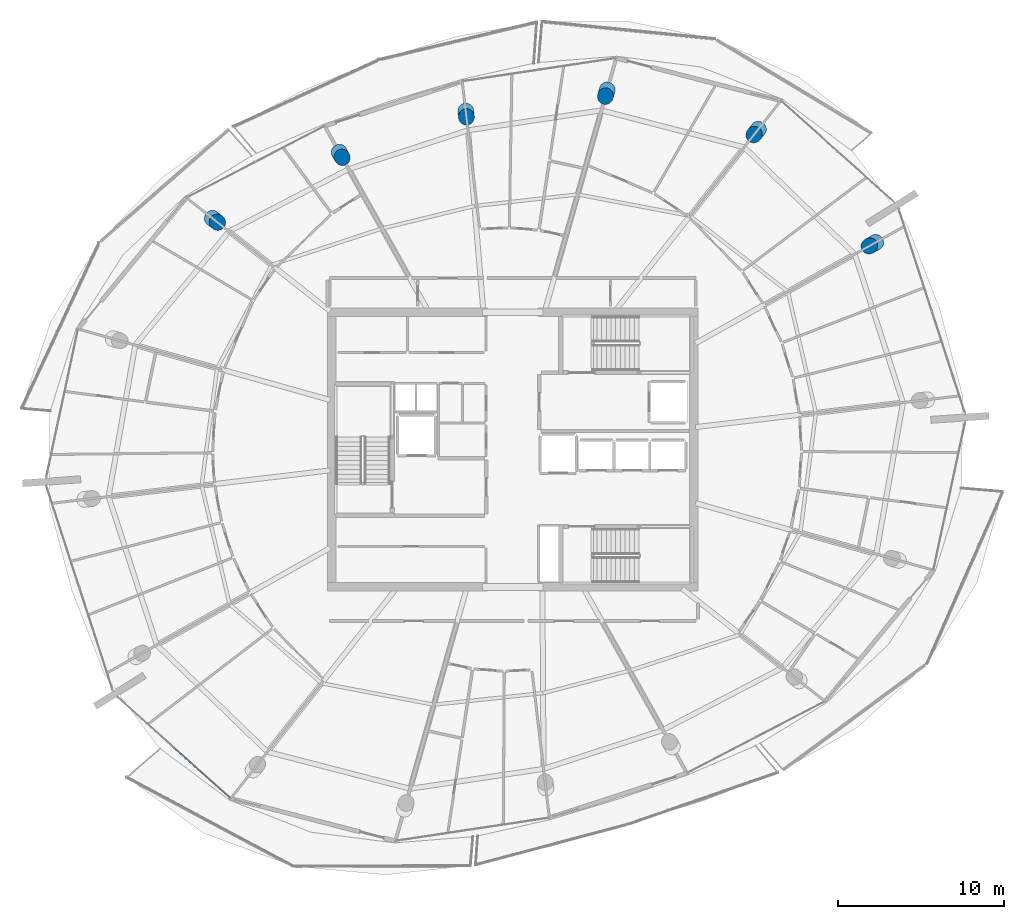
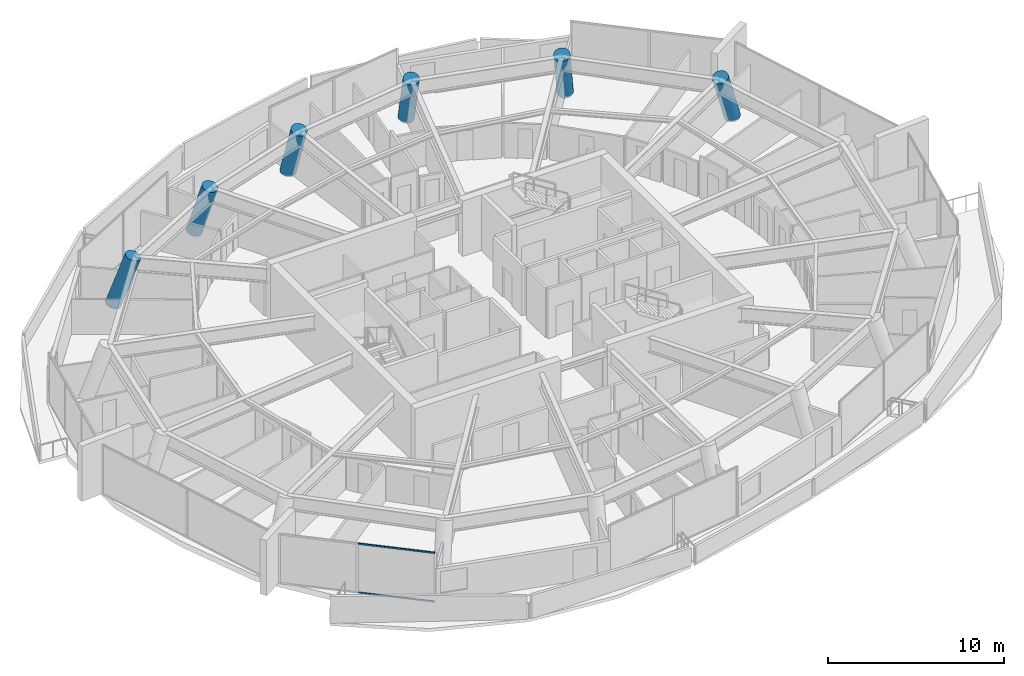
# One storey, part 4 of 24: 6 columns, 2 members, 1 element without a shape of its own.
"""IFC4 building model written with IfcOpenShell, lengths in metres."""

import ifcopenshell
import ifcopenshell.guid

model = None  # the IFC model being written
_history = None  # IfcOwnerHistory: only IFC2X3 demands one
_inside = {}  # id of a spatial element -> (the spatial element, [elements in it])
_under = {}  # id of a project, library or spatial element -> (it, [spatial elements below it])
_declared = {}  # id of a project -> (the project, [libraries it declares])
_typed = {}  # id of a type object -> (the type object, [elements of that type])
_made_of = {}  # id of a material, layer set ... -> (it, [elements and type objects made of it])


def new_model(schema):
    """Start an empty IFC model of exactly this schema.

    Asked for "IFC4X3", IfcOpenShell would pick the latest addendum, in which some entities
    have other attributes; the version numbers below select the first issue.
    IFC2X3 requires an IfcOwnerHistory on every rooted entity: one is made here for all.
    """
    global model, _history
    if schema == "IFC4X3":
        model = ifcopenshell.file(schema_version=(4, 3, 0, 0))
    else:
        model = ifcopenshell.file(schema=schema)
    _inside.clear()
    _under.clear()
    _declared.clear()
    _typed.clear()
    _made_of.clear()
    _history = None
    if model.schema == "IFC2X3":
        org = make("IfcOrganization", Name="unknown")
        user = make(
            "IfcPersonAndOrganization",
            ThePerson=make("IfcPerson", FamilyName="unknown"),
            TheOrganization=org,
        )
        app = make(
            "IfcApplication",
            ApplicationDeveloper=org,
            Version="unknown",
            ApplicationFullName="unknown",
            ApplicationIdentifier="unknown",
        )
        _history = make(
            "IfcOwnerHistory",
            OwningUser=user,
            OwningApplication=app,
            ChangeAction="ADDED",
            CreationDate=0,
        )
    return model


def make(cls, **values):
    """One entity of the class cls with the attributes given. An attribute that is None is left unset."""
    return model.create_entity(
        cls, **{name: value for name, value in values.items() if value is not None}
    )


def rooted(cls, **values):
    """An entity with a GlobalId (a new one), such as an element, a storey or a relation."""
    return make(cls, GlobalId=ifcopenshell.guid.new(), OwnerHistory=_history, **values)


def si_unit(unit_type, name, prefix=None):
    """IfcSIUnit, for example si_unit("LENGTHUNIT", "METRE", prefix="MILLI")."""
    return make("IfcSIUnit", UnitType=unit_type, Prefix=prefix, Name=name)


def assignment(units):
    """IfcUnitAssignment: the units of a project."""
    return None if units is None else make("IfcUnitAssignment", Units=units)


def point(xyz):
    """IfcCartesianPoint."""
    return None if xyz is None else make("IfcCartesianPoint", Coordinates=xyz)


def direction(xyz):
    """IfcDirection."""
    return None if xyz is None else make("IfcDirection", DirectionRatios=xyz)


def frame(location, z_axis=None, x_axis=None):
    """IfcAxis2Placement3D, a coordinate frame: its origin and axes. An axis left out is left unset."""
    return make(
        "IfcAxis2Placement3D",
        Location=point(location),
        Axis=direction(z_axis),
        RefDirection=direction(x_axis),
    )


def frame_2d(location, x_axis=None):
    """IfcAxis2Placement2D, a coordinate frame in the plane: its origin and x axis."""
    return make(
        "IfcAxis2Placement2D", Location=point(location), RefDirection=direction(x_axis)
    )


def origin():
    """The frame at (0, 0, 0) with its axes left unset."""
    return frame((0.0, 0.0, 0.0))


def origin_2d():
    """The frame at (0, 0) in the plane with its x axis left unset."""
    return frame_2d((0.0, 0.0))


def place(relative_to, where):
    """IfcLocalPlacement: puts the frame where relative to a parent placement (None: the world)."""
    return make(
        "IfcLocalPlacement", PlacementRelTo=relative_to, RelativePlacement=where
    )


def context(
    kind, dimensions, precision=None, world=None, true_north=None, identifier=None
):
    """IfcGeometricRepresentationContext, for example the 3D "Model" context."""
    return make(
        "IfcGeometricRepresentationContext",
        ContextIdentifier=identifier,
        ContextType=kind,
        CoordinateSpaceDimension=dimensions,
        Precision=precision,
        WorldCoordinateSystem=world,
        TrueNorth=true_north,
    )


def subcontext(parent, identifier, kind, view, scale=None):
    """IfcGeometricRepresentationSubContext, for example "Body" below "Model"."""
    return make(
        "IfcGeometricRepresentationSubContext",
        ContextIdentifier=identifier,
        ContextType=kind,
        ParentContext=parent,
        TargetScale=scale,
        TargetView=view,
    )


def project(units=None, contexts=None):
    """IfcProject with its units and contexts."""
    return rooted(
        "IfcProject",
        Name="project",
        RepresentationContexts=contexts,
        UnitsInContext=assignment(units),
    )


def spatial(cls, under=None, at=None, **own):
    """A site, building, storey or space (cls), placed at a placement, below another one or the project."""
    s = rooted(cls, ObjectPlacement=at, **own)
    if under is not None:
        _under.setdefault(under.id(), (under, []))[1].append(s)
    return s


def profile(cls, at=None, kind="AREA", **sizes):
    """A parametric profile (cls). Its sizes go by their IFC names, for example OverallWidth=200.0."""
    return make(cls, ProfileType=kind, Position=at, **sizes)


def rectangle(**sizes):
    """IfcRectangleProfileDef."""
    return profile("IfcRectangleProfileDef", **sizes)


def circle(**sizes):
    """IfcCircleProfileDef."""
    return profile("IfcCircleProfileDef", **sizes)


def extrude(swept, where, along, depth):
    """IfcExtrudedAreaSolid: the profile swept, set in the frame where, extruded along a direction by depth."""
    return make(
        "IfcExtrudedAreaSolid",
        SweptArea=swept,
        Position=where,
        ExtrudedDirection=direction(along),
        Depth=depth,
    )


def shape(context_of_items, identifier, shape_type, items):
    """IfcShapeRepresentation: the items that make up one representation, for example the "Body"."""
    return make(
        "IfcShapeRepresentation",
        ContextOfItems=context_of_items,
        RepresentationIdentifier=identifier,
        RepresentationType=shape_type,
        Items=items,
    )


def material(Name=None, Category=None):
    """IfcMaterial."""
    return make("IfcMaterial", Name=Name, Category=Category)


def layer(
    of_material, thickness, ventilated=None, Name=None, Category=None, Priority=None
):
    """IfcMaterialLayer: one layer of a wall or slab, of a material (None: an air gap)."""
    return make(
        "IfcMaterialLayer",
        Material=of_material,
        LayerThickness=thickness,
        IsVentilated=ventilated,
        Name=Name,
        Category=Category,
        Priority=Priority,
    )


def layer_set(layers, Name=None):
    """IfcMaterialLayerSet."""
    return make("IfcMaterialLayerSet", MaterialLayers=layers, LayerSetName=Name)


def material_profile(
    of_material, cross_section, Name=None, Category=None, Priority=None
):
    """IfcMaterialProfile: a cross section and its material."""
    return make(
        "IfcMaterialProfile",
        Name=Name,
        Material=of_material,
        Profile=cross_section,
        Priority=Priority,
        Category=Category,
    )


def profile_set(profiles, Name=None, composite=None):
    """IfcMaterialProfileSet."""
    return make(
        "IfcMaterialProfileSet",
        Name=Name,
        MaterialProfiles=profiles,
        CompositeProfile=composite,
    )


def made_of(thing, what):
    """Note that an element or type object is made of a material, layer set ...; save() writes the relation."""
    if what is not None:
        _made_of.setdefault(what.id(), (what, []))[1].append(thing)
    return thing


def type_object(cls, material=None, **own):
    """A type object (cls), such as IfcWallType, which elements share."""
    return made_of(rooted(cls, **own), material)


def element(
    cls,
    number,
    at=None,
    inside=None,
    cuts=None,
    type_object=None,
    material=None,
    context=None,
    identifier="Body",
    shape_type=None,
    held_by="IfcProductDefinitionShape",
    body=None,
    shapes=None,
    **own,
):
    """One element of the class cls, such as IfcWall. Its Tag is "e" and its number.

    at: its placement. inside: the storey or other place that contains it. cuts: it is an
    opening in that element (IfcRelVoidsElement). A single representation is given by context,
    identifier, shape_type and body (its items); several are given by shapes. held_by: the class
    of the entity that holds the representations. save() writes the other relations.
    """
    e = rooted(cls, Tag="e%d" % number, ObjectPlacement=at, **own)
    if body is not None:
        shapes = [shape(context, identifier, shape_type, body)]
    if shapes is not None:
        e.Representation = make(held_by, Representations=shapes)
    if inside is not None:
        _inside.setdefault(inside.id(), (inside, []))[1].append(e)
    if cuts is not None:
        rooted(
            "IfcRelVoidsElement", RelatingBuildingElement=cuts, RelatedOpeningElement=e
        )
    if type_object is not None:
        _typed.setdefault(type_object.id(), (type_object, []))[1].append(e)
    return made_of(e, material)


def aggregate(whole, parts):
    """IfcRelAggregates: a whole, such as a stair, and the parts it consists of."""
    return rooted("IfcRelAggregates", RelatingObject=whole, RelatedObjects=parts)


def save(model, path):
    """Write the relations noted so far, then the file.

    IfcRelAggregates (storeys below a building ...), IfcRelContainedInSpatialStructure (elements
    in a storey), IfcRelDefinesByType, IfcRelAssociatesMaterial and IfcRelDeclares: one each for
    every whole, place, type object, material and project.
    """
    for whole, parts in _under.values():
        aggregate(whole, parts)
    for where, things in _inside.values():
        rooted(
            "IfcRelContainedInSpatialStructure",
            RelatedElements=things,
            RelatingStructure=where,
        )
    for kind, things in _typed.values():
        rooted("IfcRelDefinesByType", RelatedObjects=things, RelatingType=kind)
    for what, things in _made_of.values():
        rooted("IfcRelAssociatesMaterial", RelatedObjects=things, RelatingMaterial=what)
    for by, libraries in _declared.values():
        rooted("IfcRelDeclares", RelatingContext=by, RelatedDefinitions=libraries)
    model.write(path)


model = new_model("IFC4")

# Units and contexts
model_context = context("Model", 3, precision=1e-05, world=origin(), true_north=direction((0.0, 1.0)))
body_context = subcontext(model_context, "Body", "Model", "MODEL_VIEW")
ifc_project = project(units=[si_unit("LENGTHUNIT", "METRE"), si_unit("AREAUNIT", "SQUARE_METRE"), si_unit("VOLUMEUNIT", "CUBIC_METRE"), si_unit("PLANEANGLEUNIT", "RADIAN"), si_unit("MASSUNIT", "GRAM", prefix="KILO")], contexts=[model_context])

# Site, building, storey
site_placement = place(None, origin())
site = spatial("IfcSite", under=ifc_project, at=site_placement, CompositionType="ELEMENT")
building_placement = place(site_placement, origin())
building = spatial("IfcBuilding", under=site, at=building_placement, Name="Kazma Halo Residences", CompositionType="ELEMENT")
storey_placement = place(building_placement, frame((0.0, 0.0, 309.85009765625)))
storey = spatial("IfcBuildingStorey", under=building, at=storey_placement, Name="L78", CompositionType="ELEMENT", Elevation=309.85009765625)

# Columns
ifc_material_1 = material(Name="Concrete C60/75", Category="concrete")
ifc_material_profile_1 = material_profile(ifc_material_1, circle(Radius=0.47509765625, at=origin_2d()), Name="CIRC950")
ifc_profile_set_1 = profile_set([ifc_material_profile_1], Name="Concrete C60/75")
column_type = type_object("IfcColumnType", Name="COL-PERIM-950", PredefinedType="COLUMN", material=ifc_profile_set_1)
column_1_placement = place(storey_placement, frame((70.24169921875, 54.455810546875, 0.0), z_axis=(-0.31032645066, -0.173748419839, 0.934617023504), x_axis=(0.488529751374, -0.872547237703, 0.0)))
element("IfcColumn", 1, at=column_1_placement, inside=storey, type_object=column_type, Name="L78 perimeter ring column P01", PredefinedType="COLUMN", context=body_context, shape_type="SweptSolid", body=[
    extrude(circle(Radius=0.47509765625, at=origin_2d()), origin(), (0.0, 0.0, 1.0), 3.69140625),
])
column_2_placement = place(storey_placement, frame((63.188720703125, 61.2666015625, 0.0), z_axis=(-0.212907110385, -0.270054462111, 0.939010729354), x_axis=(0.785298072574, -0.619117870208, 0.0)))
element("IfcColumn", 2, at=column_2_placement, inside=storey, type_object=column_type, Name="L78 perimeter ring column P02", PredefinedType="COLUMN", context=body_context, shape_type="SweptSolid", body=[
    extrude(circle(Radius=0.47509765625, at=origin_2d()), origin(), (0.0, 0.0, 1.0), 3.674072265625),
])
column_3_placement = place(storey_placement, frame((54.09716796875, 63.618896484375, 0.0), z_axis=(-0.086284912029, -0.305955831144, 0.948127598662), x_axis=(0.962458159265, -0.271430086144, 0.0)))
element("IfcColumn", 3, at=column_3_placement, inside=storey, type_object=column_type, Name="L78 perimeter ring column P03", PredefinedType="COLUMN", context=body_context, shape_type="SweptSolid", body=[
    extrude(circle(Radius=0.47509765625, at=origin_2d()), origin(), (0.0, 0.0, 1.0), 3.638671875),
])
for number, where, z_axis, x_axis, name in (
    (4, (45.591552734375, 62.348876953125, 0.0), (0.034376698759, -0.290510172782, 0.956254193242), (0.993071427628, 0.117512295652, 0.0), "L78 perimeter ring column P04"),
    (5, (37.98779296875, 59.878173828125, 0.0), (0.142922715552, -0.25519013274, 0.956269362435), (0.872482342855, 0.488645639913, 0.0), "L78 perimeter ring column P05"),
):
    element("IfcColumn", number, at=place(storey_placement, frame(where, z_axis=z_axis, x_axis=x_axis)), inside=storey, type_object=column_type, Name=name, PredefinedType="COLUMN", context=body_context, shape_type="SweptSolid", body=[
        extrude(circle(Radius=0.47509765625, at=origin_2d()), origin(), (0.0, 0.0, 1.0), 3.607666015625),
    ])
column_4_placement = place(storey_placement, frame((30.360107421875, 55.90625, 0.0), z_axis=(0.249658820182, -0.19685540941, 0.948113084654), x_axis=(0.619172052223, 0.785255353211, 0.0)))
element("IfcColumn", 6, at=column_4_placement, inside=storey, type_object=column_type, Name="L78 perimeter ring column P06", PredefinedType="COLUMN", context=body_context, shape_type="SweptSolid", body=[
    extrude(circle(Radius=0.47509765625, at=origin_2d()), origin(), (0.0, 0.0, 1.0), 3.638671875),
])

# Curtain wall, members
ifc_material_2 = material(Name="Aluminium AW-6063 T6 and Triple-Silver Low-E Glass", Category="aluminium")
ifc_layer = layer(ifc_material_2, 0.139892578125)
ifc_layer_set = layer_set([ifc_layer], Name="Aluminium AW-6063 T6 and Triple-Silver Low-E Glass")
curtain_wall_type = type_object("IfcCurtainWallType", Name="CW-SYS-5", PredefinedType="NOTDEFINED", material=ifc_layer_set)
curtain_wall_placement = place(storey_placement, origin())
curtain_wall = element("IfcCurtainWall", 7, at=curtain_wall_placement, inside=storey, type_object=curtain_wall_type, Name="L78 unitised curtain wall B09", PredefinedType="NOTDEFINED")
ifc_material_3 = material(Name="Aluminium AW-6063 T6", Category="aluminium")
ifc_material_profile_2 = material_profile(ifc_material_3, rectangle(XDim=0.06005859375, YDim=0.10498046875, at=origin_2d()), Name="CWT-60x105")
ifc_profile_set_2 = profile_set([ifc_material_profile_2], Name="Aluminium AW-6063 T6")
member_type = type_object("IfcMemberType", Name="CW-SYS-5-TRN", PredefinedType="USERDEFINED", material=ifc_profile_set_2)
member_1_placement = place(storey_placement, frame((28.0869140625, 24.076904296875, 0.02978515625), z_axis=(0.744366295692, -0.667771531168, 0.0), x_axis=(0.667771531168, 0.744366295692, 0.0)))
member_1 = element("IfcMember", 8, at=member_1_placement, type_object=member_type, Name="CWS-5 transom 2.1", ObjectType="TRANSOM", PredefinedType="USERDEFINED", context=body_context, shape_type="SweptSolid", body=[
    extrude(rectangle(XDim=0.06005859375, YDim=0.10498046875, at=origin_2d()), origin(), (0.0, 0.0, 1.0), 4.4912109375),
])
member_2_placement = place(storey_placement, frame((28.0869140625, 24.076904296875, 3.419921875), z_axis=(0.744366295692, -0.667771531168, 0.0), x_axis=(0.667771531168, 0.744366295692, 0.0)))
member_2 = element("IfcMember", 9, at=member_2_placement, type_object=member_type, Name="CWS-5 transom 2.2", ObjectType="TRANSOM", PredefinedType="USERDEFINED", context=body_context, shape_type="SweptSolid", body=[
    extrude(rectangle(XDim=0.06005859375, YDim=0.10498046875, at=origin_2d()), origin(), (0.0, 0.0, 1.0), 4.4912109375),
])
aggregate(curtain_wall, [member_1, member_2])

save(model, "model.ifc")
